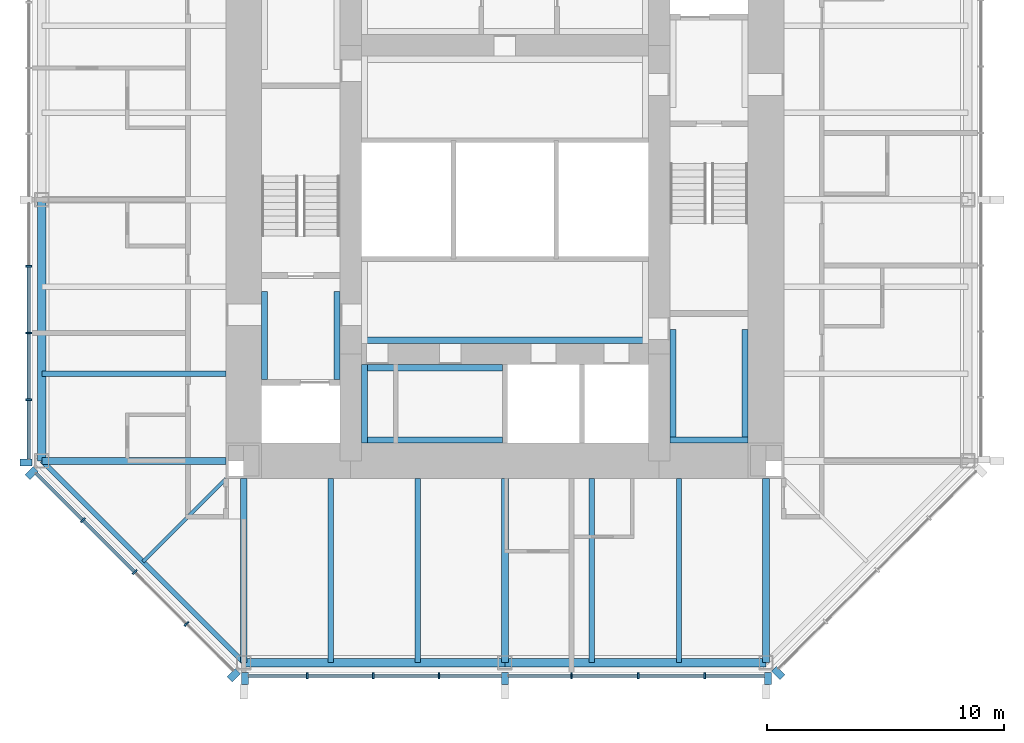
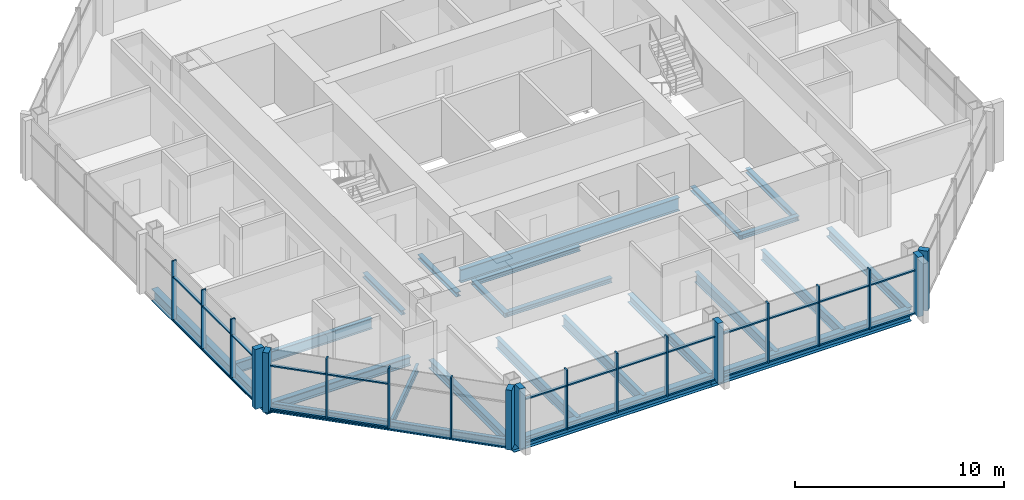
# One storey, part 2 of 11: 45 members, 23 beams, 4 elements without a shape of their own.
"""IFC4 building model written with IfcOpenShell, lengths in metres."""

from ifc_helpers import new_model, si_unit, direction, frame, origin, origin_2d, place, context, subcontext, project, spatial, rectangle, i_section, extrude, material, material_profile, profile_set, type_object, element, aggregate, save


model = new_model("IFC4")

# Units and contexts
model_context = context("Model", 3, precision=1e-05, world=origin(), true_north=direction((0.0, 1.0)))
body_context = subcontext(model_context, "Body", "Model", "MODEL_VIEW")
ifc_project = project(units=[si_unit("LENGTHUNIT", "METRE"), si_unit("AREAUNIT", "SQUARE_METRE"), si_unit("VOLUMEUNIT", "CUBIC_METRE"), si_unit("PLANEANGLEUNIT", "RADIAN"), si_unit("MASSUNIT", "GRAM", prefix="KILO")], contexts=[model_context])

# Site, building, storey
site_placement = place(None, origin())
site = spatial("IfcSite", under=ifc_project, at=site_placement, CompositionType="ELEMENT")
building_placement = place(site_placement, origin())
building = spatial("IfcBuilding", under=site, at=building_placement, Name="Trevanion Tower", CompositionType="ELEMENT")
storey_placement = place(building_placement, frame((0.0, 0.0, 243.199951171875)))
storey = spatial("IfcBuildingStorey", under=building, at=storey_placement, Name="L59", CompositionType="ELEMENT", Elevation=243.199951171875)

# Beams
ifc_material_1 = material(Name="Steel ASTM A992 Grade 50", Category="steel")
ifc_material_profile_1 = material_profile(ifc_material_1, i_section(OverallWidth=0.228271484375, OverallDepth=0.607177734375, WebThickness=0.01123046875, FlangeThickness=0.017333984375, at=origin_2d()), Name="W24X76")
ifc_profile_set_1 = profile_set([ifc_material_profile_1], Name="Steel ASTM A992 Grade 50")
beam_type_1 = type_object("IfcBeamType", Name="B11 W24X76", PredefinedType="BEAM", material=ifc_profile_set_1)
for number, where, z_axis, x_axis, name in (
    (1, (-11.75, -7.333251953125, -0.493408203125), (-1.0, 0.0, 0.0), (0.0, -1.0, 0.0), "B11 L59"),
    (2, (-7.333251953125, -11.75, -0.493408203125), (0.0, -1.0, 0.0), (1.0, 0.0, 0.0), "B11 L59"),
    (3, (-3.666748046875, -11.75, -0.493408203125), (0.0, -1.0, 0.0), (1.0, 0.0, 0.0), "B11 L59"),
    (4, (3.666748046875, -11.75, -0.493408203125), (0.0, -1.0, 0.0), (1.0, 0.0, 0.0), "B11 L59"),
    (5, (7.333251953125, -11.75, -0.493408203125), (0.0, -1.0, 0.0), (1.0, 0.0, 0.0), "B11 L59"),
):
    element("IfcBeam", number, at=place(storey_placement, frame(where, z_axis=z_axis, x_axis=x_axis)), inside=storey, type_object=beam_type_1, Name=name, PredefinedType="BEAM", context=body_context, shape_type="SweptSolid", body=[
        extrude(i_section(OverallWidth=0.228271484375, OverallDepth=0.607177734375, WebThickness=0.01123046875, FlangeThickness=0.017333984375, at=origin_2d()), origin(), (0.0, 0.0, 1.0), 7.75),
    ])
ifc_material_2 = material(Name="Steel ASTM A992 Grade 50", Category="steel")
ifc_material_profile_2 = material_profile(ifc_material_2, i_section(OverallWidth=0.15234375, OverallDepth=0.449462890625, WebThickness=0.007568359375, FlangeThickness=0.0107421875, at=origin_2d()), Name="W18X35")
ifc_profile_set_2 = profile_set([ifc_material_profile_2], Name="Steel ASTM A992 Grade 50")
beam_type_2 = type_object("IfcBeamType", Name="B12 W18X35", PredefinedType="BEAM", material=ifc_profile_set_2)
beam_1_placement = place(storey_placement, frame((-11.75, -11.75, -0.414794921875), z_axis=(-0.707106781187, -0.707106781187, 0.0), x_axis=(0.707106781187, -0.707106781187, 0.0)))
element("IfcBeam", 6, at=beam_1_placement, inside=storey, type_object=beam_type_2, Name="B12 L59", PredefinedType="BEAM", context=body_context, shape_type="SweptSolid", body=[
    extrude(i_section(OverallWidth=0.15234375, OverallDepth=0.449462890625, WebThickness=0.007568359375, FlangeThickness=0.0107421875, at=origin_2d()), origin(), (0.0, 0.0, 1.0), 4.94970703125),
])

# Curtain wall, members
ifc_material_3 = material(Name="Aluminium and glass", Category="aluminium")
curtain_wall_type = type_object("IfcCurtainWallType", Name="CW3 curtain wall", PredefinedType="USERDEFINED", material=ifc_material_3)
curtain_wall_1_placement = place(storey_placement, origin())
curtain_wall_1 = element("IfcCurtainWall", 7, at=curtain_wall_1_placement, inside=storey, type_object=curtain_wall_type, Name="CW3 L59 4", ObjectType="UNITISED CURTAIN WALL", PredefinedType="USERDEFINED")
ifc_material_4 = material(Name="Aluminium extrusion, anodised bronze", Category="aluminium")
ifc_material_profile_3 = material_profile(ifc_material_4, rectangle(XDim=0.074951171875, YDim=0.25, at=origin_2d()), Name="CW3 mullion")
ifc_profile_set_3 = profile_set([ifc_material_profile_3], Name="Aluminium extrusion, anodised bronze")
member_type_1 = type_object("IfcMemberType", Name="CW3 mullion", PredefinedType="MULLION", material=ifc_profile_set_3)
member_1_placement = place(storey_placement, frame((-20.050048828125, -2.806884765625, -0.18994140625), z_axis=(0.0, 0.0, 1.0), x_axis=(0.0, -1.0, 0.0)))
member_1 = element("IfcMember", 8, at=member_1_placement, type_object=member_type_1, Name="CW3 mullion 6", PredefinedType="MULLION", context=body_context, shape_type="SweptSolid", body=[
    extrude(rectangle(XDim=0.074951171875, YDim=0.25, at=origin_2d()), origin(), (0.0, 0.0, 1.0), 3.5),
])
member_2_placement = place(storey_placement, frame((-20.050048828125, -5.614013671875, -0.18994140625), z_axis=(0.0, 0.0, 1.0), x_axis=(0.0, -1.0, 0.0)))
member_2 = element("IfcMember", 9, at=member_2_placement, type_object=member_type_1, Name="CW3 mullion 7", PredefinedType="MULLION", context=body_context, shape_type="SweptSolid", body=[
    extrude(rectangle(XDim=0.074951171875, YDim=0.25, at=origin_2d()), origin(), (0.0, 0.0, 1.0), 3.5),
])
member_3_placement = place(storey_placement, frame((-20.050048828125, -8.4208984375, -0.18994140625), z_axis=(0.0, 0.0, 1.0), x_axis=(0.0, -1.0, 0.0)))
member_3 = element("IfcMember", 10, at=member_3_placement, type_object=member_type_1, Name="CW3 mullion 8", PredefinedType="MULLION", context=body_context, shape_type="SweptSolid", body=[
    extrude(rectangle(XDim=0.074951171875, YDim=0.25, at=origin_2d()), origin(), (0.0, 0.0, 1.0), 3.5),
])

curtain_wall_2_placement = place(storey_placement, origin())
curtain_wall_2 = element("IfcCurtainWall", 11, at=curtain_wall_2_placement, inside=storey, type_object=curtain_wall_type, Name="CW3 L59 5", ObjectType="UNITISED CURTAIN WALL", PredefinedType="USERDEFINED")
member_4_placement = place(storey_placement, frame((-17.775390625, -13.502197265625, -0.18994140625), z_axis=(0.0, 0.0, 1.0), x_axis=(0.707106781187, -0.707106781187, 0.0)))
member_4 = element("IfcMember", 12, at=member_4_placement, type_object=member_type_1, Name="CW3 mullion 2", PredefinedType="MULLION", context=body_context, shape_type="SweptSolid", body=[
    extrude(rectangle(XDim=0.074951171875, YDim=0.25, at=origin_2d()), origin(), (0.0, 0.0, 1.0), 3.5),
])
member_5_placement = place(storey_placement, frame((-15.593017578125, -15.684814453125, -0.18994140625), z_axis=(0.0, 0.0, 1.0), x_axis=(0.707106781187, -0.707106781187, 0.0)))
member_5 = element("IfcMember", 13, at=member_5_placement, type_object=member_type_1, Name="CW3 mullion 3", PredefinedType="MULLION", context=body_context, shape_type="SweptSolid", body=[
    extrude(rectangle(XDim=0.074951171875, YDim=0.25, at=origin_2d()), origin(), (0.0, 0.0, 1.0), 3.5),
])
member_6_placement = place(storey_placement, frame((-13.410400390625, -17.867431640625, -0.18994140625), z_axis=(0.0, 0.0, 1.0), x_axis=(0.707106781187, -0.707106781187, 0.0)))
member_6 = element("IfcMember", 14, at=member_6_placement, type_object=member_type_1, Name="CW3 mullion 4", PredefinedType="MULLION", context=body_context, shape_type="SweptSolid", body=[
    extrude(rectangle(XDim=0.074951171875, YDim=0.25, at=origin_2d()), origin(), (0.0, 0.0, 1.0), 3.5),
])

curtain_wall_3_placement = place(storey_placement, origin())
curtain_wall_3 = element("IfcCurtainWall", 15, at=curtain_wall_3_placement, inside=storey, type_object=curtain_wall_type, Name="CW3 L59 6", ObjectType="UNITISED CURTAIN WALL", PredefinedType="USERDEFINED")
member_7_placement = place(storey_placement, frame((-8.323486328125, -20.050048828125, -0.18994140625), z_axis=(0.0, 0.0, 1.0), x_axis=(1.0, 0.0, 0.0)))
member_7 = element("IfcMember", 16, at=member_7_placement, type_object=member_type_1, Name="CW3 mullion 2", PredefinedType="MULLION", context=body_context, shape_type="SweptSolid", body=[
    extrude(rectangle(XDim=0.074951171875, YDim=0.25, at=origin_2d()), origin(), (0.0, 0.0, 1.0), 3.5),
])
member_8_placement = place(storey_placement, frame((-5.548828125, -20.050048828125, -0.18994140625), z_axis=(0.0, 0.0, 1.0), x_axis=(1.0, 0.0, 0.0)))
member_8 = element("IfcMember", 17, at=member_8_placement, type_object=member_type_1, Name="CW3 mullion 3", PredefinedType="MULLION", context=body_context, shape_type="SweptSolid", body=[
    extrude(rectangle(XDim=0.074951171875, YDim=0.25, at=origin_2d()), origin(), (0.0, 0.0, 1.0), 3.5),
])
member_9_placement = place(storey_placement, frame((-2.7744140625, -20.050048828125, -0.18994140625), z_axis=(0.0, 0.0, 1.0), x_axis=(1.0, 0.0, 0.0)))
member_9 = element("IfcMember", 18, at=member_9_placement, type_object=member_type_1, Name="CW3 mullion 4", PredefinedType="MULLION", context=body_context, shape_type="SweptSolid", body=[
    extrude(rectangle(XDim=0.074951171875, YDim=0.25, at=origin_2d()), origin(), (0.0, 0.0, 1.0), 3.5),
])
member_10_placement = place(storey_placement, frame((2.806884765625, -20.050048828125, -0.18994140625), z_axis=(0.0, 0.0, 1.0), x_axis=(1.0, 0.0, 0.0)))
member_10 = element("IfcMember", 19, at=member_10_placement, type_object=member_type_1, Name="CW3 mullion 6", PredefinedType="MULLION", context=body_context, shape_type="SweptSolid", body=[
    extrude(rectangle(XDim=0.074951171875, YDim=0.25, at=origin_2d()), origin(), (0.0, 0.0, 1.0), 3.5),
])
member_11_placement = place(storey_placement, frame((5.614013671875, -20.050048828125, -0.18994140625), z_axis=(0.0, 0.0, 1.0), x_axis=(1.0, 0.0, 0.0)))
member_11 = element("IfcMember", 20, at=member_11_placement, type_object=member_type_1, Name="CW3 mullion 7", PredefinedType="MULLION", context=body_context, shape_type="SweptSolid", body=[
    extrude(rectangle(XDim=0.074951171875, YDim=0.25, at=origin_2d()), origin(), (0.0, 0.0, 1.0), 3.5),
])
member_12_placement = place(storey_placement, frame((8.4208984375, -20.050048828125, -0.18994140625), z_axis=(0.0, 0.0, 1.0), x_axis=(1.0, 0.0, 0.0)))
member_12 = element("IfcMember", 21, at=member_12_placement, type_object=member_type_1, Name="CW3 mullion 8", PredefinedType="MULLION", context=body_context, shape_type="SweptSolid", body=[
    extrude(rectangle(XDim=0.074951171875, YDim=0.25, at=origin_2d()), origin(), (0.0, 0.0, 1.0), 3.5),
])

# Member
ifc_material_5 = material(Name="Aluminium extrusion, anodised bronze", Category="aluminium")
ifc_material_profile_4 = material_profile(ifc_material_5, rectangle(XDim=0.300048828125, YDim=0.5, at=origin_2d()), Name="CW3 pier mullion")
ifc_profile_set_4 = profile_set([ifc_material_profile_4], Name="Aluminium extrusion, anodised bronze")
member_type_2 = type_object("IfcMemberType", Name="CW3 pier mullion", PredefinedType="MULLION", material=ifc_profile_set_4)
member_13_placement = place(storey_placement, frame((-20.175048828125, -11.077880859375, -0.18994140625), z_axis=(0.0, 0.0, 1.0), x_axis=(0.0, -1.0, 0.0)))
member_13 = element("IfcMember", 22, at=member_13_placement, type_object=member_type_2, Name="CW3 pier mullion 9", PredefinedType="MULLION", context=body_context, shape_type="SweptSolid", body=[
    extrude(rectangle(XDim=0.300048828125, YDim=0.5, at=origin_2d()), origin(), (0.0, 0.0, 1.0), 3.5),
])

member_14_placement = place(storey_placement, frame((-19.9404296875, -11.51416015625, -0.18994140625), z_axis=(0.0, 0.0, 1.0), x_axis=(0.707106781187, -0.707106781187, 0.0)))
member_14 = element("IfcMember", 23, at=member_14_placement, type_object=member_type_2, Name="CW3 pier mullion 1", PredefinedType="MULLION", context=body_context, shape_type="SweptSolid", body=[
    extrude(rectangle(XDim=0.300048828125, YDim=0.5, at=origin_2d()), origin(), (0.0, 0.0, 1.0), 3.5),
])

member_15_placement = place(storey_placement, frame((-11.42236328125, -20.0322265625, -0.18994140625), z_axis=(0.0, 0.0, 1.0), x_axis=(0.707106781187, -0.707106781187, 0.0)))
member_15 = element("IfcMember", 24, at=member_15_placement, type_object=member_type_2, Name="CW3 pier mullion 5", PredefinedType="MULLION", context=body_context, shape_type="SweptSolid", body=[
    extrude(rectangle(XDim=0.300048828125, YDim=0.5, at=origin_2d()), origin(), (0.0, 0.0, 1.0), 3.5),
])

member_16_placement = place(storey_placement, frame((-10.94775390625, -20.175048828125, -0.18994140625), z_axis=(0.0, 0.0, 1.0), x_axis=(1.0, 0.0, 0.0)))
member_16 = element("IfcMember", 25, at=member_16_placement, type_object=member_type_2, Name="CW3 pier mullion 1", PredefinedType="MULLION", context=body_context, shape_type="SweptSolid", body=[
    extrude(rectangle(XDim=0.300048828125, YDim=0.5, at=origin_2d()), origin(), (0.0, 0.0, 1.0), 3.5),
])

member_17_placement = place(storey_placement, frame((0.0, -20.175048828125, -0.18994140625), z_axis=(0.0, 0.0, 1.0), x_axis=(1.0, 0.0, 0.0)))
member_17 = element("IfcMember", 26, at=member_17_placement, type_object=member_type_2, Name="CW3 pier mullion 5", PredefinedType="MULLION", context=body_context, shape_type="SweptSolid", body=[
    extrude(rectangle(XDim=0.300048828125, YDim=0.5, at=origin_2d()), origin(), (0.0, 0.0, 1.0), 3.5),
])

member_18_placement = place(storey_placement, frame((11.077880859375, -20.175048828125, -0.18994140625), z_axis=(0.0, 0.0, 1.0), x_axis=(1.0, 0.0, 0.0)))
member_18 = element("IfcMember", 27, at=member_18_placement, type_object=member_type_2, Name="CW3 pier mullion 9", PredefinedType="MULLION", context=body_context, shape_type="SweptSolid", body=[
    extrude(rectangle(XDim=0.300048828125, YDim=0.5, at=origin_2d()), origin(), (0.0, 0.0, 1.0), 3.5),
])

# Curtain wall, member
curtain_wall_4_placement = place(storey_placement, origin())
curtain_wall_4 = element("IfcCurtainWall", 28, at=curtain_wall_4_placement, inside=storey, type_object=curtain_wall_type, Name="CW3 L59 7", ObjectType="UNITISED CURTAIN WALL", PredefinedType="USERDEFINED")
member_19_placement = place(storey_placement, frame((11.51416015625, -19.9404296875, -0.18994140625), z_axis=(0.0, 0.0, 1.0), x_axis=(0.707106781187, 0.707106781187, 0.0)))
member_19 = element("IfcMember", 29, at=member_19_placement, type_object=member_type_2, Name="CW3 pier mullion 1", PredefinedType="MULLION", context=body_context, shape_type="SweptSolid", body=[
    extrude(rectangle(XDim=0.300048828125, YDim=0.5, at=origin_2d()), origin(), (0.0, 0.0, 1.0), 3.5),
])
aggregate(curtain_wall_4, [member_19])

# Member
ifc_material_6 = material(Name="Aluminium extrusion, anodised bronze", Category="aluminium")
ifc_material_profile_5 = material_profile(ifc_material_6, rectangle(XDim=0.14990234375, YDim=0.074951171875, at=origin_2d()), Name="CW3 transom")
ifc_profile_set_5 = profile_set([ifc_material_profile_5], Name="Aluminium extrusion, anodised bronze")
member_type_3 = type_object("IfcMemberType", Name="CW3 transom", PredefinedType="USERDEFINED", material=ifc_profile_set_5)
member_20_placement = place(storey_placement, frame((-20.050048828125, -2.844482421875, -0.15234375), z_axis=(0.0, -1.0, 0.0), x_axis=(1.0, 0.0, 0.0)))
member_20 = element("IfcMember", 30, at=member_20_placement, type_object=member_type_3, Name="CW3 transom 6.1", ObjectType="TRANSOM", PredefinedType="USERDEFINED", context=body_context, shape_type="SweptSolid", body=[
    extrude(rectangle(XDim=0.14990234375, YDim=0.074951171875, at=origin_2d()), origin(), (0.0, 0.0, 1.0), 2.73193359375),
])

member_21_placement = place(storey_placement, frame((-20.050048828125, -2.844482421875, 2.360107421875), z_axis=(0.0, -1.0, 0.0), x_axis=(1.0, 0.0, 0.0)))
member_21 = element("IfcMember", 31, at=member_21_placement, type_object=member_type_3, Name="CW3 transom 6.2", ObjectType="TRANSOM", PredefinedType="USERDEFINED", context=body_context, shape_type="SweptSolid", body=[
    extrude(rectangle(XDim=0.14990234375, YDim=0.074951171875, at=origin_2d()), origin(), (0.0, 0.0, 1.0), 2.73193359375),
])

member_22_placement = place(storey_placement, frame((-20.050048828125, -5.6513671875, -0.15234375), z_axis=(0.0, -1.0, 0.0), x_axis=(1.0, 0.0, 0.0)))
member_22 = element("IfcMember", 32, at=member_22_placement, type_object=member_type_3, Name="CW3 transom 7.1", ObjectType="TRANSOM", PredefinedType="USERDEFINED", context=body_context, shape_type="SweptSolid", body=[
    extrude(rectangle(XDim=0.14990234375, YDim=0.074951171875, at=origin_2d()), origin(), (0.0, 0.0, 1.0), 2.73193359375),
])

member_23_placement = place(storey_placement, frame((-20.050048828125, -5.6513671875, 2.360107421875), z_axis=(0.0, -1.0, 0.0), x_axis=(1.0, 0.0, 0.0)))
member_23 = element("IfcMember", 33, at=member_23_placement, type_object=member_type_3, Name="CW3 transom 7.2", ObjectType="TRANSOM", PredefinedType="USERDEFINED", context=body_context, shape_type="SweptSolid", body=[
    extrude(rectangle(XDim=0.14990234375, YDim=0.074951171875, at=origin_2d()), origin(), (0.0, 0.0, 1.0), 2.73193359375),
])

member_24_placement = place(storey_placement, frame((-20.050048828125, -8.45849609375, -0.15234375), z_axis=(0.0, -1.0, 0.0), x_axis=(1.0, 0.0, 0.0)))
member_24 = element("IfcMember", 34, at=member_24_placement, type_object=member_type_3, Name="CW3 transom 8.1", ObjectType="TRANSOM", PredefinedType="USERDEFINED", context=body_context, shape_type="SweptSolid", body=[
    extrude(rectangle(XDim=0.14990234375, YDim=0.074951171875, at=origin_2d()), origin(), (0.0, 0.0, 1.0), 2.46923828125),
])

member_25_placement = place(storey_placement, frame((-20.050048828125, -8.45849609375, 2.360107421875), z_axis=(0.0, -1.0, 0.0), x_axis=(1.0, 0.0, 0.0)))
member_25 = element("IfcMember", 35, at=member_25_placement, type_object=member_type_3, Name="CW3 transom 8.2", ObjectType="TRANSOM", PredefinedType="USERDEFINED", context=body_context, shape_type="SweptSolid", body=[
    extrude(rectangle(XDim=0.14990234375, YDim=0.074951171875, at=origin_2d()), origin(), (0.0, 0.0, 1.0), 2.46923828125),
])

aggregate(curtain_wall_1, [member_1, member_2, member_3, member_13, member_20, member_21, member_22, member_23, member_24, member_25])

member_26_placement = place(storey_placement, frame((-19.745849609375, -11.531982421875, -0.15234375), z_axis=(0.707106781187, -0.707106781187, 0.0), x_axis=(0.707106781187, 0.707106781187, 0.0)))
member_26 = element("IfcMember", 36, at=member_26_placement, type_object=member_type_3, Name="CW3 transom 1.1", ObjectType="TRANSOM", PredefinedType="USERDEFINED", context=body_context, shape_type="SweptSolid", body=[
    extrude(rectangle(XDim=0.14990234375, YDim=0.074951171875, at=origin_2d()), origin(), (0.0, 0.0, 1.0), 2.7490234375),
])

member_27_placement = place(storey_placement, frame((-19.745849609375, -11.531982421875, 2.360107421875), z_axis=(0.707106781187, -0.707106781187, 0.0), x_axis=(0.707106781187, 0.707106781187, 0.0)))
member_27 = element("IfcMember", 37, at=member_27_placement, type_object=member_type_3, Name="CW3 transom 1.2", ObjectType="TRANSOM", PredefinedType="USERDEFINED", context=body_context, shape_type="SweptSolid", body=[
    extrude(rectangle(XDim=0.14990234375, YDim=0.074951171875, at=origin_2d()), origin(), (0.0, 0.0, 1.0), 2.7490234375),
])

member_28_placement = place(storey_placement, frame((-17.7490234375, -13.52880859375, -0.15234375), z_axis=(0.707106781187, -0.707106781187, 0.0), x_axis=(0.707106781187, 0.707106781187, 0.0)))
member_28 = element("IfcMember", 38, at=member_28_placement, type_object=member_type_3, Name="CW3 transom 2.1", ObjectType="TRANSOM", PredefinedType="USERDEFINED", context=body_context, shape_type="SweptSolid", body=[
    extrude(rectangle(XDim=0.14990234375, YDim=0.074951171875, at=origin_2d()), origin(), (0.0, 0.0, 1.0), 3.01171875),
])

member_29_placement = place(storey_placement, frame((-17.7490234375, -13.52880859375, 2.360107421875), z_axis=(0.707106781187, -0.707106781187, 0.0), x_axis=(0.707106781187, 0.707106781187, 0.0)))
member_29 = element("IfcMember", 39, at=member_29_placement, type_object=member_type_3, Name="CW3 transom 2.2", ObjectType="TRANSOM", PredefinedType="USERDEFINED", context=body_context, shape_type="SweptSolid", body=[
    extrude(rectangle(XDim=0.14990234375, YDim=0.074951171875, at=origin_2d()), origin(), (0.0, 0.0, 1.0), 3.01171875),
])

aggregate(curtain_wall_2, [member_14, member_4, member_5, member_6, member_15, member_26, member_27, member_28, member_29])

member_30_placement = place(storey_placement, frame((-10.7978515625, -20.050048828125, -0.15234375), z_axis=(1.0, 0.0, 0.0), x_axis=(0.0, 1.0, 0.0)))
member_30 = element("IfcMember", 40, at=member_30_placement, type_object=member_type_3, Name="CW3 transom 1.1", ObjectType="TRANSOM", PredefinedType="USERDEFINED", context=body_context, shape_type="SweptSolid", body=[
    extrude(rectangle(XDim=0.14990234375, YDim=0.074951171875, at=origin_2d()), origin(), (0.0, 0.0, 1.0), 2.43701171875),
])

member_31_placement = place(storey_placement, frame((-10.7978515625, -20.050048828125, 2.360107421875), z_axis=(1.0, 0.0, 0.0), x_axis=(0.0, 1.0, 0.0)))
member_31 = element("IfcMember", 41, at=member_31_placement, type_object=member_type_3, Name="CW3 transom 1.2", ObjectType="TRANSOM", PredefinedType="USERDEFINED", context=body_context, shape_type="SweptSolid", body=[
    extrude(rectangle(XDim=0.14990234375, YDim=0.074951171875, at=origin_2d()), origin(), (0.0, 0.0, 1.0), 2.43701171875),
])

member_32_placement = place(storey_placement, frame((-8.285888671875, -20.050048828125, -0.15234375), z_axis=(1.0, 0.0, 0.0), x_axis=(0.0, 1.0, 0.0)))
member_32 = element("IfcMember", 42, at=member_32_placement, type_object=member_type_3, Name="CW3 transom 2.1", ObjectType="TRANSOM", PredefinedType="USERDEFINED", context=body_context, shape_type="SweptSolid", body=[
    extrude(rectangle(XDim=0.14990234375, YDim=0.074951171875, at=origin_2d()), origin(), (0.0, 0.0, 1.0), 2.699462890625),
])

member_33_placement = place(storey_placement, frame((-8.285888671875, -20.050048828125, 2.360107421875), z_axis=(1.0, 0.0, 0.0), x_axis=(0.0, 1.0, 0.0)))
member_33 = element("IfcMember", 43, at=member_33_placement, type_object=member_type_3, Name="CW3 transom 2.2", ObjectType="TRANSOM", PredefinedType="USERDEFINED", context=body_context, shape_type="SweptSolid", body=[
    extrude(rectangle(XDim=0.14990234375, YDim=0.074951171875, at=origin_2d()), origin(), (0.0, 0.0, 1.0), 2.699462890625),
])

member_34_placement = place(storey_placement, frame((-5.511474609375, -20.050048828125, -0.15234375), z_axis=(1.0, 0.0, 0.0), x_axis=(0.0, 1.0, 0.0)))
member_34 = element("IfcMember", 44, at=member_34_placement, type_object=member_type_3, Name="CW3 transom 3.1", ObjectType="TRANSOM", PredefinedType="USERDEFINED", context=body_context, shape_type="SweptSolid", body=[
    extrude(rectangle(XDim=0.14990234375, YDim=0.074951171875, at=origin_2d()), origin(), (0.0, 0.0, 1.0), 2.699462890625),
])

member_35_placement = place(storey_placement, frame((-5.511474609375, -20.050048828125, 2.360107421875), z_axis=(1.0, 0.0, 0.0), x_axis=(0.0, 1.0, 0.0)))
member_35 = element("IfcMember", 45, at=member_35_placement, type_object=member_type_3, Name="CW3 transom 3.2", ObjectType="TRANSOM", PredefinedType="USERDEFINED", context=body_context, shape_type="SweptSolid", body=[
    extrude(rectangle(XDim=0.14990234375, YDim=0.074951171875, at=origin_2d()), origin(), (0.0, 0.0, 1.0), 2.699462890625),
])

member_36_placement = place(storey_placement, frame((-2.737060546875, -20.050048828125, -0.15234375), z_axis=(1.0, 0.0, 0.0), x_axis=(0.0, 1.0, 0.0)))
member_36 = element("IfcMember", 46, at=member_36_placement, type_object=member_type_3, Name="CW3 transom 4.1", ObjectType="TRANSOM", PredefinedType="USERDEFINED", context=body_context, shape_type="SweptSolid", body=[
    extrude(rectangle(XDim=0.14990234375, YDim=0.074951171875, at=origin_2d()), origin(), (0.0, 0.0, 1.0), 2.587158203125),
])

member_37_placement = place(storey_placement, frame((-2.737060546875, -20.050048828125, 2.360107421875), z_axis=(1.0, 0.0, 0.0), x_axis=(0.0, 1.0, 0.0)))
member_37 = element("IfcMember", 47, at=member_37_placement, type_object=member_type_3, Name="CW3 transom 4.2", ObjectType="TRANSOM", PredefinedType="USERDEFINED", context=body_context, shape_type="SweptSolid", body=[
    extrude(rectangle(XDim=0.14990234375, YDim=0.074951171875, at=origin_2d()), origin(), (0.0, 0.0, 1.0), 2.587158203125),
])

member_38_placement = place(storey_placement, frame((0.14990234375, -20.050048828125, -0.15234375), z_axis=(1.0, 0.0, 0.0), x_axis=(0.0, 1.0, 0.0)))
member_38 = element("IfcMember", 48, at=member_38_placement, type_object=member_type_3, Name="CW3 transom 5.1", ObjectType="TRANSOM", PredefinedType="USERDEFINED", context=body_context, shape_type="SweptSolid", body=[
    extrude(rectangle(XDim=0.14990234375, YDim=0.074951171875, at=origin_2d()), origin(), (0.0, 0.0, 1.0), 2.619384765625),
])

member_39_placement = place(storey_placement, frame((0.14990234375, -20.050048828125, 2.360107421875), z_axis=(1.0, 0.0, 0.0), x_axis=(0.0, 1.0, 0.0)))
member_39 = element("IfcMember", 49, at=member_39_placement, type_object=member_type_3, Name="CW3 transom 5.2", ObjectType="TRANSOM", PredefinedType="USERDEFINED", context=body_context, shape_type="SweptSolid", body=[
    extrude(rectangle(XDim=0.14990234375, YDim=0.074951171875, at=origin_2d()), origin(), (0.0, 0.0, 1.0), 2.619384765625),
])

member_40_placement = place(storey_placement, frame((2.844482421875, -20.050048828125, -0.15234375), z_axis=(1.0, 0.0, 0.0), x_axis=(0.0, 1.0, 0.0)))
member_40 = element("IfcMember", 50, at=member_40_placement, type_object=member_type_3, Name="CW3 transom 6.1", ObjectType="TRANSOM", PredefinedType="USERDEFINED", context=body_context, shape_type="SweptSolid", body=[
    extrude(rectangle(XDim=0.14990234375, YDim=0.074951171875, at=origin_2d()), origin(), (0.0, 0.0, 1.0), 2.73193359375),
])

member_41_placement = place(storey_placement, frame((2.844482421875, -20.050048828125, 2.360107421875), z_axis=(1.0, 0.0, 0.0), x_axis=(0.0, 1.0, 0.0)))
member_41 = element("IfcMember", 51, at=member_41_placement, type_object=member_type_3, Name="CW3 transom 6.2", ObjectType="TRANSOM", PredefinedType="USERDEFINED", context=body_context, shape_type="SweptSolid", body=[
    extrude(rectangle(XDim=0.14990234375, YDim=0.074951171875, at=origin_2d()), origin(), (0.0, 0.0, 1.0), 2.73193359375),
])

member_42_placement = place(storey_placement, frame((5.6513671875, -20.050048828125, -0.15234375), z_axis=(1.0, 0.0, 0.0), x_axis=(0.0, 1.0, 0.0)))
member_42 = element("IfcMember", 52, at=member_42_placement, type_object=member_type_3, Name="CW3 transom 7.1", ObjectType="TRANSOM", PredefinedType="USERDEFINED", context=body_context, shape_type="SweptSolid", body=[
    extrude(rectangle(XDim=0.14990234375, YDim=0.074951171875, at=origin_2d()), origin(), (0.0, 0.0, 1.0), 2.73193359375),
])

member_43_placement = place(storey_placement, frame((5.6513671875, -20.050048828125, 2.360107421875), z_axis=(1.0, 0.0, 0.0), x_axis=(0.0, 1.0, 0.0)))
member_43 = element("IfcMember", 53, at=member_43_placement, type_object=member_type_3, Name="CW3 transom 7.2", ObjectType="TRANSOM", PredefinedType="USERDEFINED", context=body_context, shape_type="SweptSolid", body=[
    extrude(rectangle(XDim=0.14990234375, YDim=0.074951171875, at=origin_2d()), origin(), (0.0, 0.0, 1.0), 2.73193359375),
])

member_44_placement = place(storey_placement, frame((8.45849609375, -20.050048828125, -0.15234375), z_axis=(1.0, 0.0, 0.0), x_axis=(0.0, 1.0, 0.0)))
member_44 = element("IfcMember", 54, at=member_44_placement, type_object=member_type_3, Name="CW3 transom 8.1", ObjectType="TRANSOM", PredefinedType="USERDEFINED", context=body_context, shape_type="SweptSolid", body=[
    extrude(rectangle(XDim=0.14990234375, YDim=0.074951171875, at=origin_2d()), origin(), (0.0, 0.0, 1.0), 2.46923828125),
])

member_45_placement = place(storey_placement, frame((8.45849609375, -20.050048828125, 2.360107421875), z_axis=(1.0, 0.0, 0.0), x_axis=(0.0, 1.0, 0.0)))
member_45 = element("IfcMember", 55, at=member_45_placement, type_object=member_type_3, Name="CW3 transom 8.2", ObjectType="TRANSOM", PredefinedType="USERDEFINED", context=body_context, shape_type="SweptSolid", body=[
    extrude(rectangle(XDim=0.14990234375, YDim=0.074951171875, at=origin_2d()), origin(), (0.0, 0.0, 1.0), 2.46923828125),
])

aggregate(curtain_wall_3, [member_16, member_7, member_8, member_9, member_17, member_10, member_11, member_12, member_18, member_30, member_31, member_32, member_33, member_34, member_35, member_36, member_37, member_38, member_39, member_40, member_41, member_42, member_43, member_44, member_45])

# Beams
ifc_material_7 = material(Name="Steel ASTM A992 Grade 50", Category="steel")
ifc_material_profile_6 = material_profile(ifc_material_7, i_section(OverallWidth=0.28955078125, OverallDepth=0.508056640625, WebThickness=0.022705078125, FlangeThickness=0.040283203125, at=origin_2d()), Name="W18X175")
ifc_profile_set_6 = profile_set([ifc_material_profile_6], Name="Steel ASTM A992 Grade 50")
beam_type_3 = type_object("IfcBeamType", Name="G6 W18X175", PredefinedType="BEAM", material=ifc_profile_set_6)
for number, where, z_axis, x_axis, name in (
    (56, (-11.75, -11.0, -0.44384765625), (-1.0, 0.0, 0.0), (0.0, -1.0, 0.0), "G6 L59"),
    (57, (-11.0, -11.75, -0.44384765625), (0.0, -1.0, 0.0), (1.0, 0.0, 0.0), "G6 L59"),
    (58, (0.0, -11.75, -0.44384765625), (0.0, -1.0, 0.0), (1.0, 0.0, 0.0), "G6 L59"),
    (59, (11.0, -11.75, -0.44384765625), (0.0, -1.0, 0.0), (1.0, 0.0, 0.0), "G6 L59"),
):
    element("IfcBeam", number, at=place(storey_placement, frame(where, z_axis=z_axis, x_axis=x_axis)), inside=storey, type_object=beam_type_3, Name=name, PredefinedType="BEAM", context=body_context, shape_type="SweptSolid", body=[
        extrude(i_section(OverallWidth=0.28955078125, OverallDepth=0.508056640625, WebThickness=0.022705078125, FlangeThickness=0.040283203125, at=origin_2d()), origin(), (0.0, 0.0, 1.0), 7.75),
    ])
ifc_material_8 = material(Name="Steel ASTM A992 Grade 50", Category="steel")
ifc_material_profile_7 = material_profile(ifc_material_8, i_section(OverallWidth=0.256591796875, OverallDepth=0.26416015625, WebThickness=0.011962890625, FlangeThickness=0.01953125, at=origin_2d()), Name="W10X68")
ifc_profile_set_7 = profile_set([ifc_material_profile_7], Name="Steel ASTM A992 Grade 50")
beam_type_4 = type_object("IfcBeamType", Name="LB1 W10X68", PredefinedType="BEAM", material=ifc_profile_set_7)
for number, where, z_axis, x_axis, name in (
    (60, (-10.12158203125, -7.574951171875, -0.33203125), (0.0, 1.0, 0.0), (-1.0, 0.0, 0.0), "LB1 L59"),
    (61, (-7.078369140625, -7.574951171875, -0.33203125), (0.0, 1.0, 0.0), (-1.0, 0.0, 0.0), "LB1 L59"),
):
    element("IfcBeam", number, at=place(storey_placement, frame(where, z_axis=z_axis, x_axis=x_axis)), inside=storey, type_object=beam_type_4, Name=name, PredefinedType="BEAM", context=body_context, shape_type="SweptSolid", body=[
        extrude(i_section(OverallWidth=0.256591796875, OverallDepth=0.26416015625, WebThickness=0.011962890625, FlangeThickness=0.01953125, at=origin_2d()), origin(), (0.0, 0.0, 1.0), 3.699951171875),
    ])
for number, where, z_axis, x_axis, name in (
    (62, (7.078369140625, -10.25, -0.33203125), (0.0, 1.0, 0.0), (-1.0, 0.0, 0.0), "LB1 L59"),
    (63, (10.12158203125, -10.25, -0.33203125), (0.0, 1.0, 0.0), (-1.0, 0.0, 0.0), "LB1 L59"),
):
    element("IfcBeam", number, at=place(storey_placement, frame(where, z_axis=z_axis, x_axis=x_axis)), inside=storey, type_object=beam_type_4, Name=name, PredefinedType="BEAM", context=body_context, shape_type="SweptSolid", body=[
        extrude(i_section(OverallWidth=0.256591796875, OverallDepth=0.26416015625, WebThickness=0.011962890625, FlangeThickness=0.01953125, at=origin_2d()), origin(), (0.0, 0.0, 1.0), 4.77490234375),
    ])
for number, where, z_axis, x_axis, name in (
    (64, (6.949951171875, -10.12158203125, -0.33203125), (1.0, 0.0, 0.0), (0.0, 1.0, 0.0), "LB1 L59"),
    (65, (-5.921630859375, -10.25, -0.33203125), (0.0, 1.0, 0.0), (-1.0, 0.0, 0.0), "LB1 L59"),
):
    element("IfcBeam", number, at=place(storey_placement, frame(where, z_axis=z_axis, x_axis=x_axis)), inside=storey, type_object=beam_type_4, Name=name, PredefinedType="BEAM", context=body_context, shape_type="SweptSolid", body=[
        extrude(i_section(OverallWidth=0.256591796875, OverallDepth=0.26416015625, WebThickness=0.011962890625, FlangeThickness=0.01953125, at=origin_2d()), origin(), (0.0, 0.0, 1.0), 3.300048828125),
    ])
for number, where, z_axis, x_axis, name in (
    (66, (-6.050048828125, -10.12158203125, -0.33203125), (1.0, 0.0, 0.0), (0.0, 1.0, 0.0), "LB1 L59"),
    (67, (-6.050048828125, -7.078369140625, -0.33203125), (1.0, 0.0, 0.0), (0.0, 1.0, 0.0), "LB1 L59"),
):
    element("IfcBeam", number, at=place(storey_placement, frame(where, z_axis=z_axis, x_axis=x_axis)), inside=storey, type_object=beam_type_4, Name=name, PredefinedType="BEAM", context=body_context, shape_type="SweptSolid", body=[
        extrude(i_section(OverallWidth=0.256591796875, OverallDepth=0.26416015625, WebThickness=0.011962890625, FlangeThickness=0.01953125, at=origin_2d()), origin(), (0.0, 0.0, 1.0), 5.949951171875),
    ])
ifc_material_9 = material(Name="Steel ASTM A992 Grade 50", Category="steel")
ifc_material_profile_8 = material_profile(ifc_material_9, i_section(OverallWidth=0.2666015625, OverallDepth=0.76953125, WebThickness=0.015625, FlangeThickness=0.025390625, at=origin_2d()), Name="W30X132")
ifc_profile_set_8 = profile_set([ifc_material_profile_8], Name="Steel ASTM A992 Grade 50")
beam_type_5 = type_object("IfcBeamType", Name="LB3 W30X132", PredefinedType="BEAM", material=ifc_profile_set_8)
beam_2_placement = place(storey_placement, frame((-6.050048828125, -5.91650390625, -0.584716796875), z_axis=(1.0, 0.0, 0.0), x_axis=(0.0, 1.0, 0.0)))
element("IfcBeam", 68, at=beam_2_placement, inside=storey, type_object=beam_type_5, Name="LB3 L59", PredefinedType="BEAM", context=body_context, shape_type="SweptSolid", body=[
    extrude(i_section(OverallWidth=0.2666015625, OverallDepth=0.76953125, WebThickness=0.015625, FlangeThickness=0.025390625, at=origin_2d()), origin(), (0.0, 0.0, 1.0), 12.10009765625),
])
ifc_material_10 = material(Name="Steel ASTM A992 Grade 50", Category="steel")
ifc_material_profile_9 = material_profile(ifc_material_10, i_section(OverallWidth=0.355712890625, OverallDepth=0.696044921875, WebThickness=0.015380859375, FlangeThickness=0.024658203125, at=origin_2d()), Name="W27X146")
ifc_profile_set_9 = profile_set([ifc_material_profile_9], Name="Steel ASTM A992 Grade 50")
beam_type_6 = type_object("IfcBeamType", Name="SB8 W27X146", PredefinedType="SPANDREL", material=ifc_profile_set_9)
for number, where, z_axis, x_axis, name in (
    (69, (-19.5, 0.0, -0.537841796875), (0.0, -1.0, 0.0), (1.0, 0.0, 0.0), "SB8 L59"),
    (70, (-11.0, -19.5, -0.537841796875), (1.0, 0.0, 0.0), (0.0, 1.0, 0.0), "SB8 L59"),
    (71, (0.0, -19.5, -0.537841796875), (1.0, 0.0, 0.0), (0.0, 1.0, 0.0), "SB8 L59"),
):
    element("IfcBeam", number, at=place(storey_placement, frame(where, z_axis=z_axis, x_axis=x_axis)), inside=storey, type_object=beam_type_6, Name=name, PredefinedType="SPANDREL", context=body_context, shape_type="SweptSolid", body=[
        extrude(i_section(OverallWidth=0.355712890625, OverallDepth=0.696044921875, WebThickness=0.015380859375, FlangeThickness=0.024658203125, at=origin_2d()), origin(), (0.0, 0.0, 1.0), 11.0),
    ])
ifc_material_11 = material(Name="Steel ASTM A992 Grade 50", Category="steel")
ifc_material_profile_10 = material_profile(ifc_material_11, i_section(OverallWidth=0.209228515625, OverallDepth=0.533447265625, WebThickness=0.01025390625, FlangeThickness=0.015625, at=origin_2d()), Name="W21X62")
ifc_profile_set_10 = profile_set([ifc_material_profile_10], Name="Steel ASTM A992 Grade 50")
beam_type_7 = type_object("IfcBeamType", Name="SB9 W21X62", PredefinedType="SPANDREL", material=ifc_profile_set_10)
beam_3_placement = place(storey_placement, frame((-19.5, -11.0, -0.45654296875), z_axis=(0.707106781187, -0.707106781187, 0.0), x_axis=(0.707106781187, 0.707106781187, 0.0)))
element("IfcBeam", 72, at=beam_3_placement, inside=storey, type_object=beam_type_7, Name="SB9 L59", PredefinedType="SPANDREL", context=body_context, shape_type="SweptSolid", body=[
    extrude(i_section(OverallWidth=0.209228515625, OverallDepth=0.533447265625, WebThickness=0.01025390625, FlangeThickness=0.015625, at=origin_2d()), origin(), (0.0, 0.0, 1.0), 12.020751953125),
])

save(model, "model.ifc")
